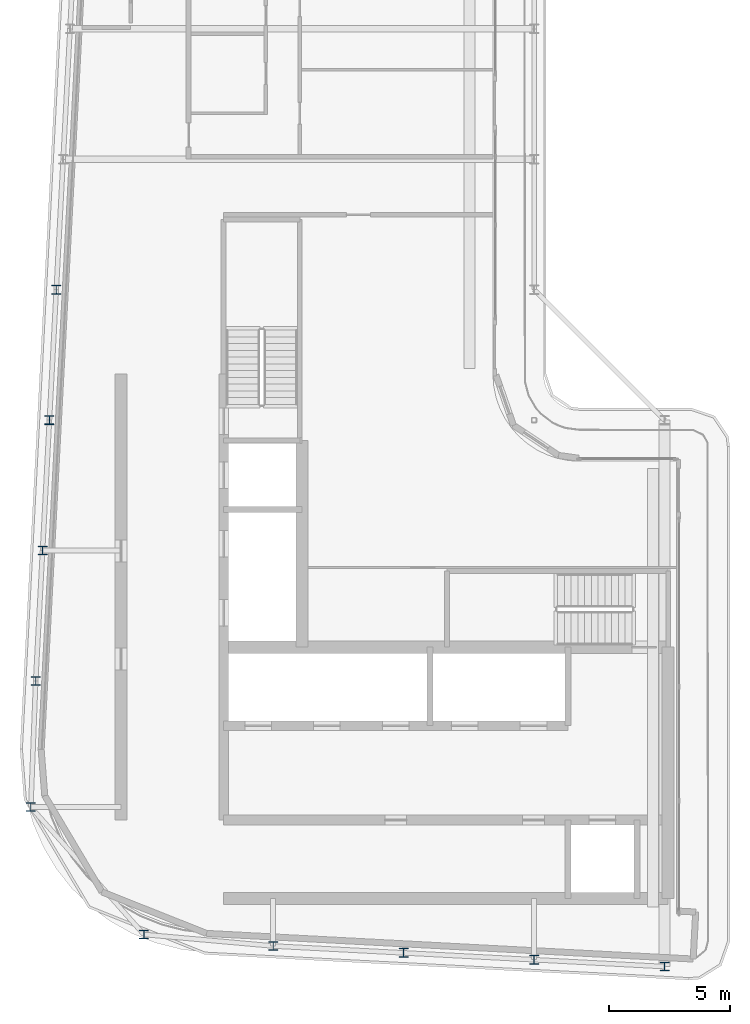
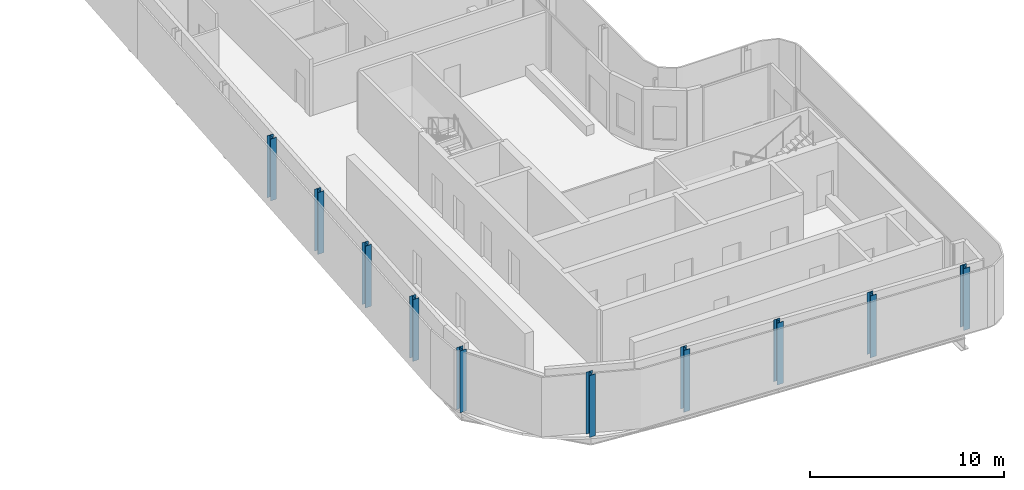
# One storey, part 1 of 18: 10 columns.
"""IFC4 building model written with IfcOpenShell, lengths in metres."""

from ifc_helpers import new_model, si_unit, direction, frame, origin, origin_2d, place, context, subcontext, project, spatial, i_section, extrude, material, material_profile, profile_set, type_object, element, save


model = new_model("IFC4")

# Units and contexts
model_context = context("Model", 3, precision=1e-05, world=origin(), true_north=direction((0.0, 1.0)))
body_context = subcontext(model_context, "Body", "Model", "MODEL_VIEW")
ifc_project = project(units=[si_unit("LENGTHUNIT", "METRE"), si_unit("AREAUNIT", "SQUARE_METRE"), si_unit("VOLUMEUNIT", "CUBIC_METRE"), si_unit("PLANEANGLEUNIT", "RADIAN"), si_unit("MASSUNIT", "GRAM", prefix="KILO")], contexts=[model_context])

# Site, building, storey
site_placement = place(None, origin())
site = spatial("IfcSite", under=ifc_project, at=site_placement, CompositionType="ELEMENT")
building_placement = place(site_placement, origin())
building = spatial("IfcBuilding", under=site, at=building_placement, Name="Kheshtan School and Residences Tower", CompositionType="ELEMENT")
storey_placement = place(building_placement, frame((0.0, 0.0, 365.60009765625)))
storey = spatial("IfcBuildingStorey", under=building, at=storey_placement, Name="L86", CompositionType="ELEMENT", Elevation=365.60009765625)

# Columns
ifc_material = material(Name="Steel ASTM A992 Grade 50", Category="steel")
ifc_material_profile = material_profile(ifc_material, i_section(OverallWidth=0.37109375, OverallDepth=0.364013671875, WebThickness=0.01318359375, FlangeThickness=0.021728515625, FilletRadius=0.010986328125, at=origin_2d()), Name="W360x162")
ifc_profile_set = profile_set([ifc_material_profile], Name="Steel ASTM A992 Grade 50")
column_type = type_object("IfcColumnType", Name="Column C6 W360x162 ASTM A992 Grade 50", PredefinedType="COLUMN", material=ifc_profile_set)
for number, where, z_axis, x_axis, name in (
    (1, (53.0, 22.97998046875, 0.0), (0.0, 0.0, 1.0), (1.0, 0.0, 0.0), "Column C019"),
    (2, (47.60009765625, 23.263916015625, 0.0), (0.0, 0.0, 1.0), (1.0, 0.0, 0.0), "Column C020"),
    (3, (42.199951171875, 23.548095703125, 0.0), (0.0, 0.0, 1.0), (1.0, 0.0, 0.0), "Column C021"),
    (4, (36.800048828125, 23.83203125, 0.0), (0.0, 0.0, 1.0), (1.0, 0.0, 0.0), "Column C022"),
    (5, (31.447021484375, 24.31005859375, 0.0), (0.0, 0.0, 1.0), (1.0, 0.0, 0.0), "Column C034"),
    (6, (26.76708984375, 29.58203125, 0.0), (0.0, 0.0, 1.0), (1.0, 0.0, 0.0), "Column C048"),
    (7, (26.968994140625, 34.800048828125, 0.0), (0.0, 0.0, 1.0), (1.0, 0.0, 0.0), "Column C052"),
    (8, (27.2529296875, 40.199951171875, 0.0), (0.0, 0.0, 1.0), (1.0, 0.0, 0.0), "Column C056"),
    (9, (27.537109375, 45.60009765625, 0.0), (0.0, 0.0, 1.0), (1.0, 0.0, 0.0), "Column C059"),
    (10, (27.822021484375, 51.0, 0.0), (0.0, 0.0, 1.0), (1.0, 0.0, 0.0), "Column C078"),
):
    element("IfcColumn", number, at=place(storey_placement, frame(where, z_axis=z_axis, x_axis=x_axis)), inside=storey, type_object=column_type, Name=name, PredefinedType="COLUMN", context=body_context, shape_type="SweptSolid", body=[
        extrude(i_section(OverallWidth=0.37109375, OverallDepth=0.364013671875, WebThickness=0.01318359375, FlangeThickness=0.021728515625, FilletRadius=0.010986328125, at=origin_2d()), origin(), (0.0, 0.0, 1.0), 3.89990234375),
    ])

save(model, "model.ifc")
